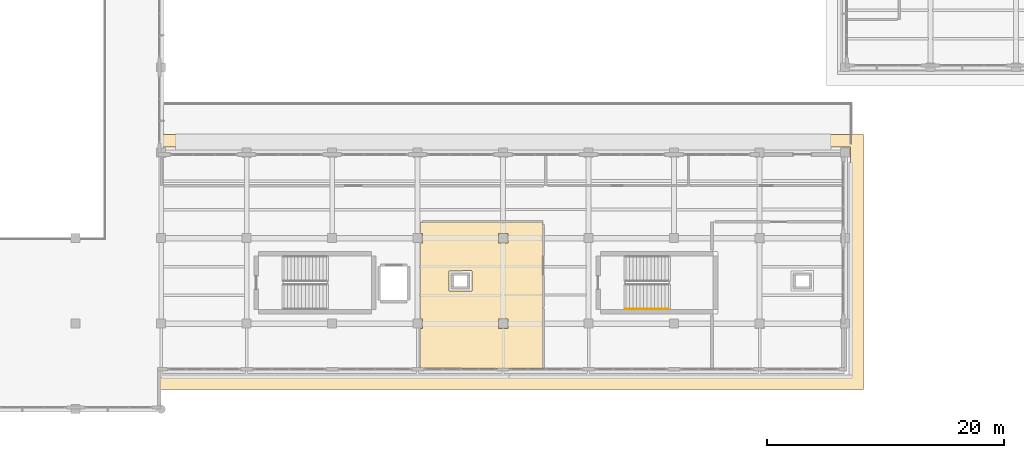
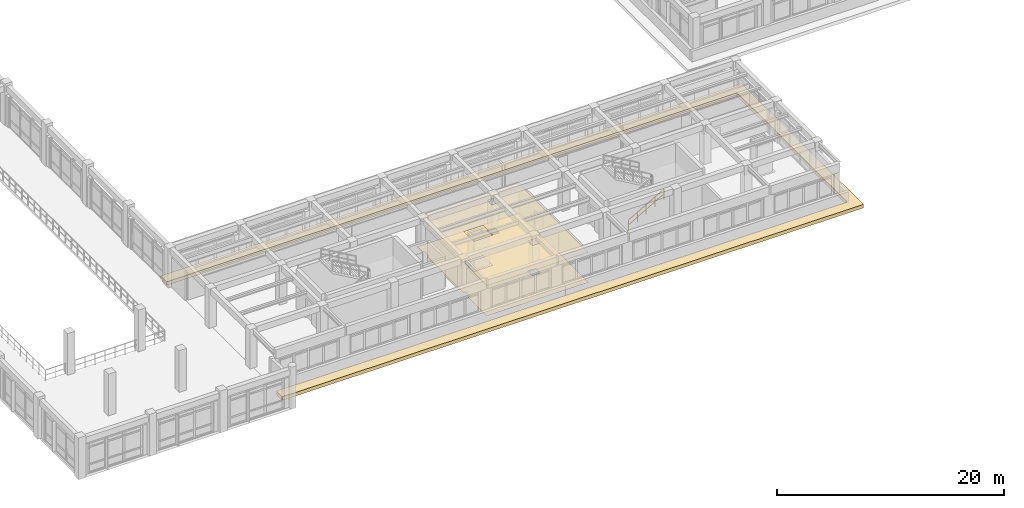
# One storey, part 54 of 64: 3 coverings, 1 railing.
"""IFC4 building model written with IfcOpenShell, lengths in metres."""

from ifc_helpers import new_model, si_unit, direction, frame, origin, origin_2d, place, context, subcontext, project, spatial, polyline, circle, outline, extrude, material, layer, layer_set, type_object, element, save


model = new_model("IFC4")

# Units and contexts
model_context = context("Model", 3, precision=1e-05, world=origin(), true_north=direction((0.0, 1.0)))
body_context = subcontext(model_context, "Body", "Model", "MODEL_VIEW")
ifc_project = project(units=[si_unit("LENGTHUNIT", "METRE"), si_unit("AREAUNIT", "SQUARE_METRE"), si_unit("VOLUMEUNIT", "CUBIC_METRE"), si_unit("PLANEANGLEUNIT", "RADIAN"), si_unit("MASSUNIT", "GRAM", prefix="KILO")], contexts=[model_context])

# Site, building, storey
site_placement = place(None, origin())
site = spatial("IfcSite", under=ifc_project, at=site_placement, CompositionType="ELEMENT")
building_placement = place(site_placement, origin())
building = spatial("IfcBuilding", under=site, at=building_placement, Name="Solenvale Faculty of Natural Sciences", CompositionType="ELEMENT")
storey_placement = place(building_placement, frame((0.0, 0.0, 18.0)))
storey = spatial("IfcBuildingStorey", under=building, at=storey_placement, Name="L04", CompositionType="ELEMENT", Elevation=18.0)

# Coverings
ifc_material_1 = material(Name="Acoustic mineral-timber ceiling", Category="wood")
ifc_layer_1 = layer(ifc_material_1, 0.02490234375)
ifc_layer_set_1 = layer_set([ifc_layer_1], Name="Acoustic mineral-timber ceiling")
covering_type_1 = type_object("IfcCoveringType", Name="COV-CEIL-AC25", PredefinedType="CEILING", material=ifc_layer_set_1)
covering_1_placement = place(storey_placement, frame((0.0, 0.0, 3.235107421875)))
element("IfcCovering", 1, at=covering_1_placement, inside=storey, type_object=covering_type_1, Name="L04 Biochemistry Teaching Laboratory Acoustic Ceiling", PredefinedType="CEILING", context=body_context, shape_type="SweptSolid", body=[
    extrude(outline(polyline([(89.72998046875, 30.159912109375), (89.7509765625, 30.15087890625), (89.760009765625, 30.1298828125), (89.760009765625, 23.0), (89.780029296875, 22.950927734375), (89.77294921875, 17.85107421875), (89.75, 17.840087890625), (79.430908203125, 17.846923828125), (79.419921875, 17.8701171875), (79.419921875, 21.169921875), (79.444091796875, 21.198974609375), (79.60009765625, 21.2080078125), (79.60009765625, 21.989013671875), (79.591064453125, 22.0), (79.444091796875, 22.0009765625), (79.419921875, 22.030029296875), (79.419921875, 28.3701171875), (79.444091796875, 28.39892578125), (79.60009765625, 28.407958984375), (79.60009765625, 29.18896484375), (79.591064453125, 29.199951171875), (79.444091796875, 29.200927734375), (79.4208984375, 29.22412109375), (79.427001953125, 30.14892578125), (79.449951171875, 30.159912109375), (89.72998046875, 30.159912109375)]), holes=[polyline([(86.010986328125, 22.0), (86.0, 21.989013671875), (86.0029296875, 21.202880859375), (86.797119140625, 21.202880859375), (86.797119140625, 21.9970703125), (86.010986328125, 22.0)]), polyline([(86.010986328125, 29.199951171875), (86.0, 29.18896484375), (86.0029296875, 28.403076171875), (86.797119140625, 28.403076171875), (86.797119140625, 29.197021484375), (86.010986328125, 29.199951171875)]), polyline([(83.760009765625, 26.031982421875), (83.75, 26.052001953125), (83.72998046875, 26.06005859375), (81.85009765625, 26.052001953125), (81.840087890625, 26.030029296875), (81.847900390625, 24.35009765625), (81.8701171875, 24.340087890625), (83.75, 24.347900390625), (83.760009765625, 24.3701171875), (83.760009765625, 26.031982421875)])]), origin(), (0.0, 0.0, 1.0), 0.02490234375),
])
ifc_material_2 = material(Name="Seamless laboratory vinyl flooring")
ifc_layer_2 = layer(ifc_material_2, 0.008056640625)
ifc_layer_set_2 = layer_set([ifc_layer_2], Name="Seamless laboratory vinyl flooring")
covering_type_2 = type_object("IfcCoveringType", Name="COV-FLR-VNL08", PredefinedType="FLOORING", material=ifc_layer_set_2)
covering_2_placement = place(storey_placement, origin())
element("IfcCovering", 2, at=covering_2_placement, inside=storey, type_object=covering_type_2, Name="L04 Biochemistry Teaching Laboratory Floor Finish", PredefinedType="FLOORING", context=body_context, shape_type="SweptSolid", body=[
    extrude(outline(polyline([(89.72998046875, 30.159912109375), (89.7509765625, 30.15087890625), (89.760009765625, 30.1298828125), (89.760009765625, 23.0), (89.780029296875, 22.950927734375), (89.77294921875, 17.85107421875), (89.75, 17.840087890625), (79.430908203125, 17.846923828125), (79.419921875, 17.8701171875), (79.419921875, 21.169921875), (79.444091796875, 21.198974609375), (79.60009765625, 21.2080078125), (79.60009765625, 21.989013671875), (79.591064453125, 22.0), (79.444091796875, 22.0009765625), (79.419921875, 22.030029296875), (79.419921875, 28.3701171875), (79.444091796875, 28.39892578125), (79.60009765625, 28.407958984375), (79.60009765625, 29.18896484375), (79.591064453125, 29.199951171875), (79.444091796875, 29.200927734375), (79.4208984375, 29.22412109375), (79.427001953125, 30.14892578125), (79.449951171875, 30.159912109375), (89.72998046875, 30.159912109375)]), holes=[polyline([(86.010986328125, 22.0), (86.0, 21.989013671875), (86.0029296875, 21.202880859375), (86.797119140625, 21.202880859375), (86.797119140625, 21.9970703125), (86.010986328125, 22.0)]), polyline([(86.010986328125, 29.199951171875), (86.0, 29.18896484375), (86.0029296875, 28.403076171875), (86.797119140625, 28.403076171875), (86.797119140625, 29.197021484375), (86.010986328125, 29.199951171875)]), polyline([(83.760009765625, 26.031982421875), (83.75, 26.052001953125), (83.72998046875, 26.06005859375), (81.85009765625, 26.052001953125), (81.840087890625, 26.030029296875), (81.847900390625, 24.35009765625), (81.8701171875, 24.340087890625), (83.75, 24.347900390625), (83.760009765625, 24.3701171875), (83.760009765625, 26.031982421875)])]), origin(), (0.0, 0.0, 1.0), 0.008056640625),
])
ifc_material_3 = material(Name="Insulated EPDM roofing membrane")
ifc_layer_3 = layer(ifc_material_3, 0.06494140625)
ifc_layer_set_3 = layer_set([ifc_layer_3], Name="Insulated EPDM roofing membrane")
covering_type_3 = type_object("IfcCoveringType", Name="COV-ROOF-MEMB", PredefinedType="ROOFING", material=ifc_layer_set_3)
covering_3_placement = place(storey_placement, frame((0.0, 0.0, -0.340087890625)))
element("IfcCovering", 3, at=covering_3_placement, inside=storey, type_object=covering_type_3, Name="L04 Projecting Horizontal Bronze Concrete Tray Ledge 1", PredefinedType="CLADDING", context=body_context, shape_type="SweptSolid", body=[
    extrude(outline(polyline([(115.679931640625, 17.1201171875), (115.679931640625, 36.47998046875), (57.570068359375, 36.47998046875), (57.555908203125, 36.486083984375), (57.550048828125, 36.5), (57.551025390625, 37.535888671875), (57.570068359375, 37.550048828125), (116.72998046875, 37.550048828125), (116.743896484375, 37.5439453125), (116.75, 37.530029296875), (116.75, 16.070068359375), (116.738037109375, 16.052001953125), (57.56396484375, 16.051025390625), (57.550048828125, 16.070068359375), (57.550048828125, 17.10009765625), (57.555908203125, 17.114013671875), (57.570068359375, 17.1201171875), (115.679931640625, 17.1201171875)])), origin(), (0.0, 0.0, 1.0), 0.380126953125),
])

# Railing
ifc_material_4 = material(Name="Stainless steel Grade 304", Category="steel")
railing_type = type_object("IfcRailingType", Name="RL-HND-900", PredefinedType="HANDRAIL", material=ifc_material_4)
railing_placement = place(storey_placement, frame((96.739990234375, 22.85009765625, 0.173095703125)))
element("IfcRailing", 4, at=railing_placement, inside=storey, type_object=railing_type, Name="L04 ST-07 stair handrail 1", PredefinedType="HANDRAIL", context=body_context, shape_type="SweptSolid", body=[
    extrude(circle(Radius=0.02392578125, at=origin_2d()), frame((0.0, 0.0, 1.0732421875), z_axis=(0.866193409371, 0.0, 0.499708892819), x_axis=(0.0, 1.0, 0.0)), (0.0, 0.0, 1.0), 4.15625),
    extrude(circle(Radius=0.01611328125, at=origin_2d()), frame((0.0, 0.0, 0.548583984375), z_axis=(0.866193409371, 0.0, 0.499708892819), x_axis=(0.0, 1.0, 0.0)), (0.0, 0.0, 1.0), 4.15625),
    extrude(circle(Radius=0.02099609375, at=origin_2d()), origin(), (0.0, 0.0, 1.0), 1.049072265625),
    extrude(circle(Radius=0.02099609375, at=origin_2d()), frame((0.89990234375, 0.0, 0.519287109375)), (0.0, 0.0, 1.0), 1.049072265625),
    extrude(circle(Radius=0.02099609375, at=origin_2d()), frame((1.800048828125, 0.0, 1.03857421875)), (0.0, 0.0, 1.0), 1.049072265625),
    extrude(circle(Radius=0.02099609375, at=origin_2d()), frame((2.7001953125, 0.0, 1.5576171875)), (0.0, 0.0, 1.0), 1.049072265625),
    extrude(circle(Radius=0.02099609375, at=origin_2d()), frame((3.60009765625, 0.0, 2.076904296875)), (0.0, 0.0, 1.0), 1.049072265625),
])

save(model, "model.ifc")
